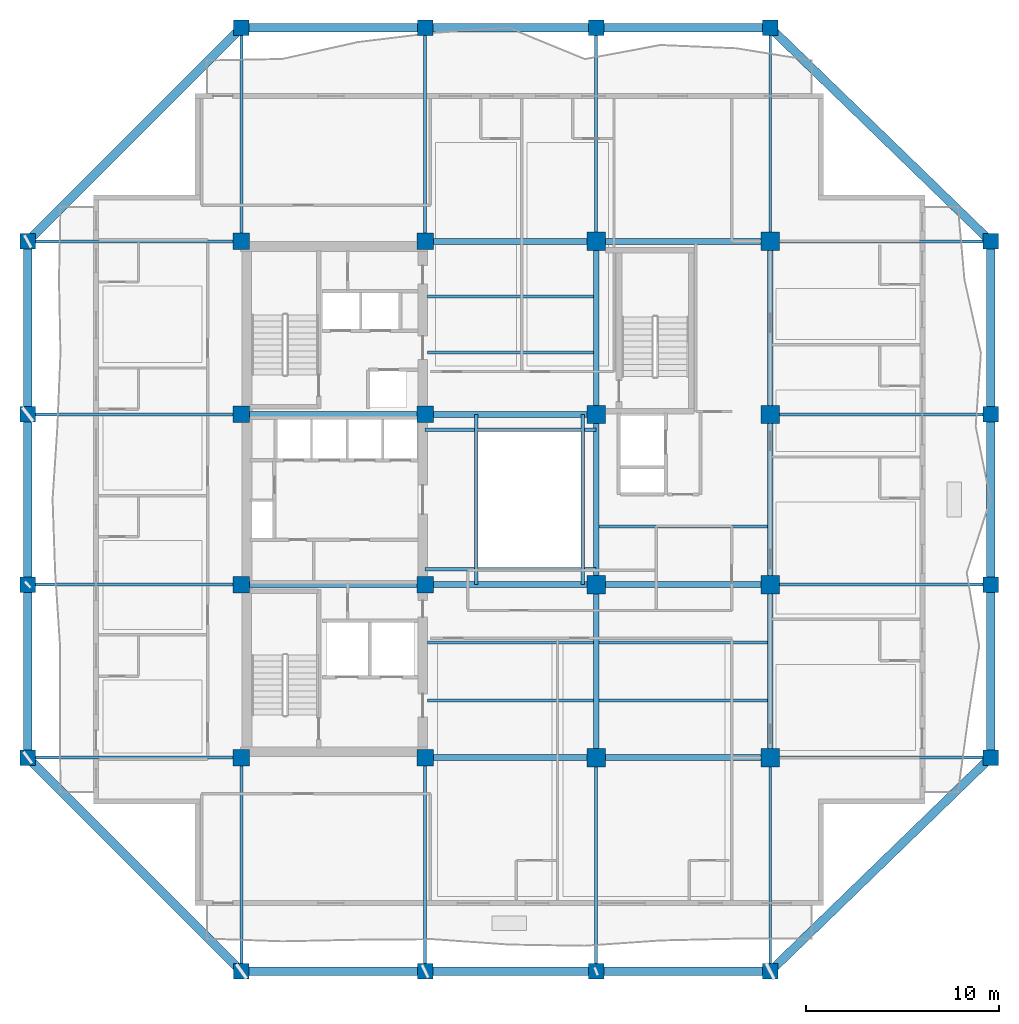
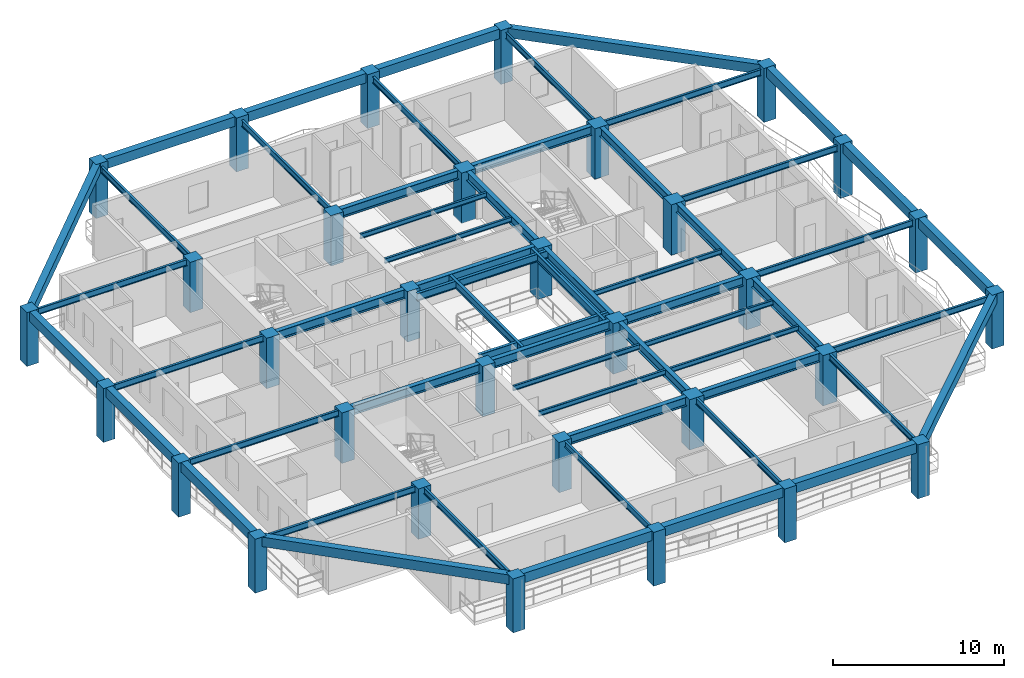
# One storey, part 1 of 13: 58 beams, 32 columns.
"""IFC4 building model written with IfcOpenShell, lengths in metres."""

from ifc_helpers import new_model, si_unit, direction, frame, origin, origin_2d, place, context, subcontext, project, spatial, rectangle, i_section, extrude, material, material_profile, profile_set, type_object, element, save


model = new_model("IFC4")

# Units and contexts
model_context = context("Model", 3, precision=1e-05, world=origin(), true_north=direction((0.0, 1.0)))
body_context = subcontext(model_context, "Body", "Model", "MODEL_VIEW")
ifc_project = project(units=[si_unit("LENGTHUNIT", "METRE"), si_unit("AREAUNIT", "SQUARE_METRE"), si_unit("VOLUMEUNIT", "CUBIC_METRE"), si_unit("PLANEANGLEUNIT", "RADIAN"), si_unit("MASSUNIT", "GRAM", prefix="KILO")], contexts=[model_context])

# Site, building, storey
site_placement = place(None, origin())
site = spatial("IfcSite", under=ifc_project, at=site_placement, CompositionType="ELEMENT")
building_placement = place(site_placement, origin())
building = spatial("IfcBuilding", under=site, at=building_placement, Name="Kundavana Baori Tower", CompositionType="ELEMENT")
storey_placement = place(building_placement, frame((0.0, 0.0, 169.449951171875)))
storey = spatial("IfcBuildingStorey", under=building, at=storey_placement, Name="L41", CompositionType="ELEMENT", Elevation=169.449951171875)

# Columns
ifc_material_1 = material(Name="Concrete C50/60", Category="concrete")
ifc_material_profile_1 = material_profile(ifc_material_1, rectangle(XDim=0.800048828125, YDim=0.800048828125, at=origin_2d()), Name="RC PF 800x800")
ifc_profile_set_1 = profile_set([ifc_material_profile_1], Name="Concrete C50/60")
column_type_1 = type_object("IfcColumnType", Name="COL-PF-800", PredefinedType="COLUMN", material=ifc_profile_set_1)
for number, where, z_axis, x_axis, name in (
    (1, (15.449951171875, 4.199951171875, 0.0), (0.0, 0.0, 1.0), (1.0, 0.0, 0.0), "L41 Stone-Clad Perimeter Frame Column PF-S1"),
    (2, (15.449951171875, 53.0, 0.0), (0.0, 0.0, 1.0), (1.0, 0.0, 0.0), "L41 Stone-Clad Perimeter Frame Column PF-N1"),
    (3, (24.949951171875, 4.199951171875, 0.0), (0.0, 0.0, 1.0), (1.0, 0.0, 0.0), "L41 Stone-Clad Perimeter Frame Column PF-S2"),
    (4, (24.949951171875, 53.0, 0.0), (0.0, 0.0, 1.0), (1.0, 0.0, 0.0), "L41 Stone-Clad Perimeter Frame Column PF-N2"),
    (5, (33.800048828125, 4.199951171875, 0.0), (0.0, 0.0, 1.0), (1.0, 0.0, 0.0), "L41 Stone-Clad Perimeter Frame Column PF-S3"),
    (6, (33.800048828125, 53.0, 0.0), (0.0, 0.0, 1.0), (1.0, 0.0, 0.0), "L41 Stone-Clad Perimeter Frame Column PF-N3"),
    (7, (42.800048828125, 4.199951171875, 0.0), (0.0, 0.0, 1.0), (1.0, 0.0, 0.0), "L41 Stone-Clad Perimeter Frame Column PF-S4"),
    (8, (42.800048828125, 53.0, 0.0), (0.0, 0.0, 1.0), (1.0, 0.0, 0.0), "L41 Stone-Clad Perimeter Frame Column PF-N4"),
    (9, (4.39990234375, 15.25, 0.0), (0.0, 0.0, 1.0), (1.0, 0.0, 0.0), "L41 Stone-Clad Perimeter Frame Column PF-W1"),
    (10, (54.199951171875, 15.25, 0.0), (0.0, 0.0, 1.0), (1.0, 0.0, 0.0), "L41 Stone-Clad Perimeter Frame Column PF-E1"),
    (11, (4.39990234375, 24.199951171875, 0.0), (0.0, 0.0, 1.0), (1.0, 0.0, 0.0), "L41 Stone-Clad Perimeter Frame Column PF-W2"),
    (12, (54.199951171875, 24.199951171875, 0.0), (0.0, 0.0, 1.0), (1.0, 0.0, 0.0), "L41 Stone-Clad Perimeter Frame Column PF-E2"),
    (13, (4.39990234375, 33.0, 0.0), (0.0, 0.0, 1.0), (1.0, 0.0, 0.0), "L41 Stone-Clad Perimeter Frame Column PF-W3"),
    (14, (54.199951171875, 33.0, 0.0), (0.0, 0.0, 1.0), (1.0, 0.0, 0.0), "L41 Stone-Clad Perimeter Frame Column PF-E3"),
    (15, (4.39990234375, 41.949951171875, 0.0), (0.0, 0.0, 1.0), (1.0, 0.0, 0.0), "L41 Stone-Clad Perimeter Frame Column PF-W4"),
    (16, (54.199951171875, 41.949951171875, 0.0), (0.0, 0.0, 1.0), (1.0, 0.0, 0.0), "L41 Stone-Clad Perimeter Frame Column PF-E4"),
):
    element("IfcColumn", number, at=place(storey_placement, frame(where, z_axis=z_axis, x_axis=x_axis)), inside=storey, type_object=column_type_1, Name=name, PredefinedType="COLUMN", context=body_context, shape_type="SweptSolid", body=[
        extrude(rectangle(XDim=0.800048828125, YDim=0.800048828125, at=origin_2d()), origin(), (0.0, 0.0, 1.0), 3.85009765625),
    ])
ifc_material_2 = material(Name="Concrete C50/60", Category="concrete")
ifc_material_profile_2 = material_profile(ifc_material_2, rectangle(XDim=0.85009765625, YDim=0.85009765625, at=origin_2d()), Name="RC 850x850")
ifc_profile_set_2 = profile_set([ifc_material_profile_2], Name="Concrete C50/60")
column_type_2 = type_object("IfcColumnType", Name="COL-RC-850", PredefinedType="COLUMN", material=ifc_profile_set_2)
for number, where, z_axis, x_axis, name in (
    (17, (15.449951171875, 15.25, 0.0), (0.0, 0.0, 1.0), (1.0, 0.0, 0.0), "L41 Interior Column IC-3C"),
    (18, (15.449951171875, 24.199951171875, 0.0), (0.0, 0.0, 1.0), (1.0, 0.0, 0.0), "L41 Interior Column IC-3D"),
    (19, (15.449951171875, 33.0, 0.0), (0.0, 0.0, 1.0), (1.0, 0.0, 0.0), "L41 Interior Column IC-3E"),
    (20, (15.449951171875, 41.949951171875, 0.0), (0.0, 0.0, 1.0), (1.0, 0.0, 0.0), "L41 Interior Column IC-3F"),
    (21, (24.949951171875, 15.25, 0.0), (0.0, 0.0, 1.0), (1.0, 0.0, 0.0), "L41 Interior Column IC-4C"),
    (22, (24.949951171875, 24.199951171875, 0.0), (0.0, 0.0, 1.0), (1.0, 0.0, 0.0), "L41 Interior Column IC-4D"),
    (23, (24.949951171875, 33.0, 0.0), (0.0, 0.0, 1.0), (1.0, 0.0, 0.0), "L41 Interior Column IC-4E"),
    (24, (24.949951171875, 41.949951171875, 0.0), (0.0, 0.0, 1.0), (1.0, 0.0, 0.0), "L41 Interior Column IC-4F"),
):
    element("IfcColumn", number, at=place(storey_placement, frame(where, z_axis=z_axis, x_axis=x_axis)), inside=storey, type_object=column_type_2, Name=name, PredefinedType="COLUMN", context=body_context, shape_type="SweptSolid", body=[
        extrude(rectangle(XDim=0.85009765625, YDim=0.85009765625, at=origin_2d()), origin(), (0.0, 0.0, 1.0), 3.60009765625),
    ])
ifc_material_3 = material(Name="Concrete C50/60", Category="concrete")
ifc_material_profile_3 = material_profile(ifc_material_3, rectangle(XDim=0.949951171875, YDim=0.949951171875, at=origin_2d()), Name="RC 950x950")
ifc_profile_set_3 = profile_set([ifc_material_profile_3], Name="Concrete C50/60")
column_type_3 = type_object("IfcColumnType", Name="COL-RC-950", PredefinedType="COLUMN", material=ifc_profile_set_3)
for number, where, z_axis, x_axis, name in (
    (25, (33.800048828125, 15.25, 0.0), (0.0, 0.0, 1.0), (1.0, 0.0, 0.0), "L41 Interior Column IC-5C"),
    (26, (33.800048828125, 24.199951171875, 0.0), (0.0, 0.0, 1.0), (1.0, 0.0, 0.0), "L41 Interior Column IC-5D"),
    (27, (33.800048828125, 33.0, 0.0), (0.0, 0.0, 1.0), (1.0, 0.0, 0.0), "L41 Interior Column IC-5E"),
    (28, (33.800048828125, 41.949951171875, 0.0), (0.0, 0.0, 1.0), (1.0, 0.0, 0.0), "L41 Interior Column IC-5F"),
    (29, (42.800048828125, 15.25, 0.0), (0.0, 0.0, 1.0), (1.0, 0.0, 0.0), "L41 Interior Column IC-6C"),
    (30, (42.800048828125, 24.199951171875, 0.0), (0.0, 0.0, 1.0), (1.0, 0.0, 0.0), "L41 Interior Column IC-6D"),
    (31, (42.800048828125, 33.0, 0.0), (0.0, 0.0, 1.0), (1.0, 0.0, 0.0), "L41 Interior Column IC-6E"),
    (32, (42.800048828125, 41.949951171875, 0.0), (0.0, 0.0, 1.0), (1.0, 0.0, 0.0), "L41 Interior Column IC-6F"),
):
    element("IfcColumn", number, at=place(storey_placement, frame(where, z_axis=z_axis, x_axis=x_axis)), inside=storey, type_object=column_type_3, Name=name, PredefinedType="COLUMN", context=body_context, shape_type="SweptSolid", body=[
        extrude(rectangle(XDim=0.949951171875, YDim=0.949951171875, at=origin_2d()), origin(), (0.0, 0.0, 1.0), 3.60009765625),
    ])

# Beams
ifc_material_4 = material(Name="Structural Steel S355JR", Category="steel")
ifc_material_profile_4 = material_profile(ifc_material_4, i_section(OverallWidth=0.139892578125, OverallDepth=0.35009765625, WebThickness=0.008056640625, FlangeThickness=0.01416015625, FilletRadius=0.013916015625, at=origin_2d()), Name="ISMB 350")
ifc_profile_set_4 = profile_set([ifc_material_profile_4], Name="Structural Steel S355JR")
beam_type_1 = type_object("IfcBeamType", Name="BM-JST-350", PredefinedType="JOIST", material=ifc_profile_set_4)
for number, where, z_axis, x_axis, name in (
    (33, (25.080078125, 18.199951171875, 3.425048828125), (1.0, 0.0, 0.0), (0.0, 1.0, 0.0), "L41 Central Bay Composite Floor Joist C1"),
    (34, (25.080078125, 21.199951171875, 3.425048828125), (1.0, 0.0, 0.0), (0.0, 1.0, 0.0), "L41 Central Bay Composite Floor Joist C2"),
    (35, (25.080078125, 36.199951171875, 3.425048828125), (1.0, 0.0, 0.0), (0.0, 1.0, 0.0), "L41 Central Bay Composite Floor Joist C3"),
    (36, (25.080078125, 39.10009765625, 3.425048828125), (1.0, 0.0, 0.0), (0.0, 1.0, 0.0), "L41 Central Bay Composite Floor Joist C4"),
):
    element("IfcBeam", number, at=place(storey_placement, frame(where, z_axis=z_axis, x_axis=x_axis)), inside=storey, type_object=beam_type_1, Name=name, PredefinedType="JOIST", context=body_context, shape_type="SweptSolid", body=[
        extrude(i_section(OverallWidth=0.139892578125, OverallDepth=0.35009765625, WebThickness=0.008056640625, FlangeThickness=0.01416015625, FilletRadius=0.013916015625, at=origin_2d()), origin(), (0.0, 0.0, 1.0), 8.56982421875),
    ])
for number, where, z_axis, x_axis, name in (
    (37, (33.949951171875, 18.199951171875, 3.425048828125), (1.0, 0.0, 0.0), (0.0, 1.0, 0.0), "L41 East Bay Composite Floor Joist E1"),
    (38, (33.949951171875, 21.199951171875, 3.425048828125), (1.0, 0.0, 0.0), (0.0, 1.0, 0.0), "L41 East Bay Composite Floor Joist E2"),
    (39, (33.949951171875, 27.199951171875, 3.425048828125), (1.0, 0.0, 0.0), (0.0, 1.0, 0.0), "L41 East Bay Composite Floor Joist E3"),
):
    element("IfcBeam", number, at=place(storey_placement, frame(where, z_axis=z_axis, x_axis=x_axis)), inside=storey, type_object=beam_type_1, Name=name, PredefinedType="JOIST", context=body_context, shape_type="SweptSolid", body=[
        extrude(i_section(OverallWidth=0.139892578125, OverallDepth=0.35009765625, WebThickness=0.008056640625, FlangeThickness=0.01416015625, FilletRadius=0.013916015625, at=origin_2d()), origin(), (0.0, 0.0, 1.0), 8.699951171875),
    ])
ifc_material_5 = material(Name="Concrete C50/60", Category="concrete")
ifc_material_profile_5 = material_profile(ifc_material_5, rectangle(XDim=0.449951171875, YDim=0.679931640625, at=origin_2d()), Name="RC BM 450x680")
ifc_profile_set_5 = profile_set([ifc_material_profile_5], Name="Concrete C50/60")
beam_type_2 = type_object("IfcBeamType", Name="BM-PF-680", PredefinedType="SPANDREL", material=ifc_profile_set_5)
beam_1_placement = place(storey_placement, frame((15.449951171875, 4.199951171875, 3.510009765625), z_axis=(1.0, 0.0, 0.0), x_axis=(0.0, 1.0, 0.0)))
element("IfcBeam", 40, at=beam_1_placement, inside=storey, type_object=beam_type_2, Name="L41 Perimeter Frame Ring Beam S1", PredefinedType="SPANDREL", context=body_context, shape_type="SweptSolid", body=[
    extrude(rectangle(XDim=0.449951171875, YDim=0.679931640625, at=origin_2d()), origin(), (0.0, 0.0, 1.0), 9.5),
])
beam_2_placement = place(storey_placement, frame((24.949951171875, 4.199951171875, 3.510009765625), z_axis=(1.0, 0.0, 0.0), x_axis=(0.0, 1.0, 0.0)))
element("IfcBeam", 41, at=beam_2_placement, inside=storey, type_object=beam_type_2, Name="L41 Perimeter Frame Ring Beam S2", PredefinedType="SPANDREL", context=body_context, shape_type="SweptSolid", body=[
    extrude(rectangle(XDim=0.449951171875, YDim=0.679931640625, at=origin_2d()), origin(), (0.0, 0.0, 1.0), 8.85009765625),
])
beam_3_placement = place(storey_placement, frame((33.800048828125, 4.199951171875, 3.510009765625), z_axis=(1.0, 0.0, 0.0), x_axis=(0.0, 1.0, 0.0)))
element("IfcBeam", 42, at=beam_3_placement, inside=storey, type_object=beam_type_2, Name="L41 Perimeter Frame Ring Beam S3", PredefinedType="SPANDREL", context=body_context, shape_type="SweptSolid", body=[
    extrude(rectangle(XDim=0.449951171875, YDim=0.679931640625, at=origin_2d()), origin(), (0.0, 0.0, 1.0), 9.0),
])
beam_4_placement = place(storey_placement, frame((15.449951171875, 53.0, 3.510009765625), z_axis=(1.0, 0.0, 0.0), x_axis=(0.0, 1.0, 0.0)))
element("IfcBeam", 43, at=beam_4_placement, inside=storey, type_object=beam_type_2, Name="L41 Perimeter Frame Ring Beam N1", PredefinedType="SPANDREL", context=body_context, shape_type="SweptSolid", body=[
    extrude(rectangle(XDim=0.449951171875, YDim=0.679931640625, at=origin_2d()), origin(), (0.0, 0.0, 1.0), 9.5),
])
beam_5_placement = place(storey_placement, frame((24.949951171875, 53.0, 3.510009765625), z_axis=(1.0, 0.0, 0.0), x_axis=(0.0, 1.0, 0.0)))
element("IfcBeam", 44, at=beam_5_placement, inside=storey, type_object=beam_type_2, Name="L41 Perimeter Frame Ring Beam N2", PredefinedType="SPANDREL", context=body_context, shape_type="SweptSolid", body=[
    extrude(rectangle(XDim=0.449951171875, YDim=0.679931640625, at=origin_2d()), origin(), (0.0, 0.0, 1.0), 8.85009765625),
])
beam_6_placement = place(storey_placement, frame((33.800048828125, 53.0, 3.510009765625), z_axis=(1.0, 0.0, 0.0), x_axis=(0.0, 1.0, 0.0)))
element("IfcBeam", 45, at=beam_6_placement, inside=storey, type_object=beam_type_2, Name="L41 Perimeter Frame Ring Beam N3", PredefinedType="SPANDREL", context=body_context, shape_type="SweptSolid", body=[
    extrude(rectangle(XDim=0.449951171875, YDim=0.679931640625, at=origin_2d()), origin(), (0.0, 0.0, 1.0), 9.0),
])
beam_7_placement = place(storey_placement, frame((4.39990234375, 15.25, 3.510009765625), z_axis=(0.0, 1.0, 0.0), x_axis=(-1.0, 0.0, 0.0)))
element("IfcBeam", 46, at=beam_7_placement, inside=storey, type_object=beam_type_2, Name="L41 Perimeter Frame Ring Beam W1", PredefinedType="SPANDREL", context=body_context, shape_type="SweptSolid", body=[
    extrude(rectangle(XDim=0.449951171875, YDim=0.679931640625, at=origin_2d()), origin(), (0.0, 0.0, 1.0), 8.949951171875),
])
beam_8_placement = place(storey_placement, frame((4.39990234375, 24.199951171875, 3.510009765625), z_axis=(0.0, 1.0, 0.0), x_axis=(-1.0, 0.0, 0.0)))
element("IfcBeam", 47, at=beam_8_placement, inside=storey, type_object=beam_type_2, Name="L41 Perimeter Frame Ring Beam W2", PredefinedType="SPANDREL", context=body_context, shape_type="SweptSolid", body=[
    extrude(rectangle(XDim=0.449951171875, YDim=0.679931640625, at=origin_2d()), origin(), (0.0, 0.0, 1.0), 8.800048828125),
])
for number, where, z_axis, x_axis, name in (
    (48, (4.39990234375, 33.0, 3.510009765625), (0.0, 1.0, 0.0), (-1.0, 0.0, 0.0), "L41 Perimeter Frame Ring Beam W3"),
    (49, (54.199951171875, 15.25, 3.510009765625), (0.0, 1.0, 0.0), (-1.0, 0.0, 0.0), "L41 Perimeter Frame Ring Beam E1"),
):
    element("IfcBeam", number, at=place(storey_placement, frame(where, z_axis=z_axis, x_axis=x_axis)), inside=storey, type_object=beam_type_2, Name=name, PredefinedType="SPANDREL", context=body_context, shape_type="SweptSolid", body=[
        extrude(rectangle(XDim=0.449951171875, YDim=0.679931640625, at=origin_2d()), origin(), (0.0, 0.0, 1.0), 8.949951171875),
    ])
beam_9_placement = place(storey_placement, frame((54.199951171875, 24.199951171875, 3.510009765625), z_axis=(0.0, 1.0, 0.0), x_axis=(-1.0, 0.0, 0.0)))
element("IfcBeam", 50, at=beam_9_placement, inside=storey, type_object=beam_type_2, Name="L41 Perimeter Frame Ring Beam E2", PredefinedType="SPANDREL", context=body_context, shape_type="SweptSolid", body=[
    extrude(rectangle(XDim=0.449951171875, YDim=0.679931640625, at=origin_2d()), origin(), (0.0, 0.0, 1.0), 8.800048828125),
])
beam_10_placement = place(storey_placement, frame((54.199951171875, 33.0, 3.510009765625), z_axis=(0.0, 1.0, 0.0), x_axis=(-1.0, 0.0, 0.0)))
element("IfcBeam", 51, at=beam_10_placement, inside=storey, type_object=beam_type_2, Name="L41 Perimeter Frame Ring Beam E3", PredefinedType="SPANDREL", context=body_context, shape_type="SweptSolid", body=[
    extrude(rectangle(XDim=0.449951171875, YDim=0.679931640625, at=origin_2d()), origin(), (0.0, 0.0, 1.0), 8.949951171875),
])
beam_11_placement = place(storey_placement, frame((15.449951171875, 4.199951171875, 3.510009765625), z_axis=(-0.707106781187, 0.707106781187, 0.0), x_axis=(-0.707106781187, -0.707106781187, 0.0)))
element("IfcBeam", 52, at=beam_11_placement, inside=storey, type_object=beam_type_2, Name="L41 Notched Corner Perimeter Beam SW", PredefinedType="SPANDREL", context=body_context, shape_type="SweptSolid", body=[
    extrude(rectangle(XDim=0.449951171875, YDim=0.679931640625, at=origin_2d()), origin(), (0.0, 0.0, 1.0), 15.627197265625),
])
beam_12_placement = place(storey_placement, frame((42.800048828125, 4.199951171875, 3.510009765625), z_axis=(0.718038944492, 0.696002926857, 0.0), x_axis=(-0.696002926857, 0.718038944492, 0.0)))
element("IfcBeam", 53, at=beam_12_placement, inside=storey, type_object=beam_type_2, Name="L41 Notched Corner Perimeter Beam SE", PredefinedType="SPANDREL", context=body_context, shape_type="SweptSolid", body=[
    extrude(rectangle(XDim=0.449951171875, YDim=0.679931640625, at=origin_2d()), origin(), (0.0, 0.0, 1.0), 15.87646484375),
])
beam_13_placement = place(storey_placement, frame((15.449951171875, 53.0, 3.510009765625), z_axis=(-0.707106781187, -0.707106781187, 0.0), x_axis=(0.707106781187, -0.707106781187, 0.0)))
element("IfcBeam", 54, at=beam_13_placement, inside=storey, type_object=beam_type_2, Name="L41 Notched Corner Perimeter Beam NW", PredefinedType="SPANDREL", context=body_context, shape_type="SweptSolid", body=[
    extrude(rectangle(XDim=0.449951171875, YDim=0.679931640625, at=origin_2d()), origin(), (0.0, 0.0, 1.0), 15.627197265625),
])
beam_14_placement = place(storey_placement, frame((42.800048828125, 53.0, 3.510009765625), z_axis=(0.718038944492, -0.696002926857, 0.0), x_axis=(0.696002926857, 0.718038944492, 0.0)))
element("IfcBeam", 55, at=beam_14_placement, inside=storey, type_object=beam_type_2, Name="L41 Notched Corner Perimeter Beam NE", PredefinedType="SPANDREL", context=body_context, shape_type="SweptSolid", body=[
    extrude(rectangle(XDim=0.449951171875, YDim=0.679931640625, at=origin_2d()), origin(), (0.0, 0.0, 1.0), 15.87646484375),
])
ifc_material_6 = material(Name="Structural Steel S355JR", Category="steel")
ifc_material_profile_6 = material_profile(ifc_material_6, i_section(OverallWidth=0.18994140625, OverallDepth=0.550048828125, WebThickness=0.01123046875, FlangeThickness=0.019287109375, FilletRadius=0.01806640625, at=origin_2d()), Name="ISMB 550")
ifc_profile_set_6 = profile_set([ifc_material_profile_6], Name="Structural Steel S355JR")
beam_type_3 = type_object("IfcBeamType", Name="BM-ST-550", PredefinedType="BEAM", material=ifc_profile_set_6)
for number, where, z_axis, x_axis, name in (
    (56, (27.60009765625, 24.199951171875, 3.324951171875), (0.0, 1.0, 0.0), (-1.0, 0.0, 0.0), "L41 Atrium West Edge Beam"),
    (57, (33.10009765625, 24.199951171875, 3.324951171875), (0.0, 1.0, 0.0), (-1.0, 0.0, 0.0), "L41 Atrium East Edge Beam"),
):
    element("IfcBeam", number, at=place(storey_placement, frame(where, z_axis=z_axis, x_axis=x_axis)), inside=storey, type_object=beam_type_3, Name=name, PredefinedType="BEAM", context=body_context, shape_type="SweptSolid", body=[
        extrude(i_section(OverallWidth=0.18994140625, OverallDepth=0.550048828125, WebThickness=0.01123046875, FlangeThickness=0.019287109375, FilletRadius=0.01806640625, at=origin_2d()), origin(), (0.0, 0.0, 1.0), 8.800048828125),
    ])
for number, where, z_axis, x_axis, name in (
    (58, (24.949951171875, 25.0, 3.324951171875), (1.0, 0.0, 0.0), (0.0, 1.0, 0.0), "L41 Atrium South Edge Beam"),
    (59, (24.949951171875, 32.199951171875, 3.324951171875), (1.0, 0.0, 0.0), (0.0, 1.0, 0.0), "L41 Atrium North Edge Beam"),
):
    element("IfcBeam", number, at=place(storey_placement, frame(where, z_axis=z_axis, x_axis=x_axis)), inside=storey, type_object=beam_type_3, Name=name, PredefinedType="BEAM", context=body_context, shape_type="SweptSolid", body=[
        extrude(i_section(OverallWidth=0.18994140625, OverallDepth=0.550048828125, WebThickness=0.01123046875, FlangeThickness=0.019287109375, FilletRadius=0.01806640625, at=origin_2d()), origin(), (0.0, 0.0, 1.0), 8.85009765625),
    ])
ifc_material_7 = material(Name="Structural Steel S355JR", Category="steel")
ifc_material_profile_7 = material_profile(ifc_material_7, i_section(OverallWidth=0.300048828125, OverallDepth=0.64990234375, WebThickness=0.013427734375, FlangeThickness=0.02197265625, FilletRadius=0.02392578125, at=origin_2d()), Name="NPB 650x300x155")
ifc_profile_set_7 = profile_set([ifc_material_profile_7], Name="Structural Steel S355JR")
beam_type_4 = type_object("IfcBeamType", Name="BM-ST-650", PredefinedType="BEAM", material=ifc_profile_set_7)
beam_15_placement = place(storey_placement, frame((24.949951171875, 15.25, 3.275146484375), z_axis=(1.0, 0.0, 0.0), x_axis=(0.0, 1.0, 0.0)))
element("IfcBeam", 60, at=beam_15_placement, inside=storey, type_object=beam_type_4, Name="L41 Primary Grid Girder GX-1-2", PredefinedType="BEAM", context=body_context, shape_type="SweptSolid", body=[
    extrude(i_section(OverallWidth=0.300048828125, OverallDepth=0.64990234375, WebThickness=0.013427734375, FlangeThickness=0.02197265625, FilletRadius=0.02392578125, at=origin_2d()), origin(), (0.0, 0.0, 1.0), 8.85009765625),
])
beam_16_placement = place(storey_placement, frame((33.800048828125, 15.25, 3.275146484375), z_axis=(1.0, 0.0, 0.0), x_axis=(0.0, 1.0, 0.0)))
element("IfcBeam", 61, at=beam_16_placement, inside=storey, type_object=beam_type_4, Name="L41 Primary Grid Girder GX-1-3", PredefinedType="BEAM", context=body_context, shape_type="SweptSolid", body=[
    extrude(i_section(OverallWidth=0.300048828125, OverallDepth=0.64990234375, WebThickness=0.013427734375, FlangeThickness=0.02197265625, FilletRadius=0.02392578125, at=origin_2d()), origin(), (0.0, 0.0, 1.0), 9.0),
])
beam_17_placement = place(storey_placement, frame((15.449951171875, 24.199951171875, 3.275146484375), z_axis=(1.0, 0.0, 0.0), x_axis=(0.0, 1.0, 0.0)))
element("IfcBeam", 62, at=beam_17_placement, inside=storey, type_object=beam_type_4, Name="L41 Primary Grid Girder GX-2-1", PredefinedType="BEAM", context=body_context, shape_type="SweptSolid", body=[
    extrude(i_section(OverallWidth=0.300048828125, OverallDepth=0.64990234375, WebThickness=0.013427734375, FlangeThickness=0.02197265625, FilletRadius=0.02392578125, at=origin_2d()), origin(), (0.0, 0.0, 1.0), 9.5),
])
beam_18_placement = place(storey_placement, frame((24.949951171875, 24.199951171875, 3.275146484375), z_axis=(1.0, 0.0, 0.0), x_axis=(0.0, 1.0, 0.0)))
element("IfcBeam", 63, at=beam_18_placement, inside=storey, type_object=beam_type_4, Name="L41 Primary Grid Girder GX-2-2", PredefinedType="BEAM", context=body_context, shape_type="SweptSolid", body=[
    extrude(i_section(OverallWidth=0.300048828125, OverallDepth=0.64990234375, WebThickness=0.013427734375, FlangeThickness=0.02197265625, FilletRadius=0.02392578125, at=origin_2d()), origin(), (0.0, 0.0, 1.0), 8.85009765625),
])
beam_19_placement = place(storey_placement, frame((33.800048828125, 24.199951171875, 3.275146484375), z_axis=(1.0, 0.0, 0.0), x_axis=(0.0, 1.0, 0.0)))
element("IfcBeam", 64, at=beam_19_placement, inside=storey, type_object=beam_type_4, Name="L41 Primary Grid Girder GX-2-3", PredefinedType="BEAM", context=body_context, shape_type="SweptSolid", body=[
    extrude(i_section(OverallWidth=0.300048828125, OverallDepth=0.64990234375, WebThickness=0.013427734375, FlangeThickness=0.02197265625, FilletRadius=0.02392578125, at=origin_2d()), origin(), (0.0, 0.0, 1.0), 9.0),
])
beam_20_placement = place(storey_placement, frame((15.449951171875, 33.0, 3.275146484375), z_axis=(1.0, 0.0, 0.0), x_axis=(0.0, 1.0, 0.0)))
element("IfcBeam", 65, at=beam_20_placement, inside=storey, type_object=beam_type_4, Name="L41 Primary Grid Girder GX-3-1", PredefinedType="BEAM", context=body_context, shape_type="SweptSolid", body=[
    extrude(i_section(OverallWidth=0.300048828125, OverallDepth=0.64990234375, WebThickness=0.013427734375, FlangeThickness=0.02197265625, FilletRadius=0.02392578125, at=origin_2d()), origin(), (0.0, 0.0, 1.0), 9.5),
])
for number, where, z_axis, x_axis, name in (
    (66, (24.949951171875, 33.0, 3.275146484375), (1.0, 0.0, 0.0), (0.0, 1.0, 0.0), "L41 Primary Grid Girder GX-3-2"),
    (67, (24.949951171875, 41.949951171875, 3.275146484375), (1.0, 0.0, 0.0), (0.0, 1.0, 0.0), "L41 Primary Grid Girder GX-4-2"),
):
    element("IfcBeam", number, at=place(storey_placement, frame(where, z_axis=z_axis, x_axis=x_axis)), inside=storey, type_object=beam_type_4, Name=name, PredefinedType="BEAM", context=body_context, shape_type="SweptSolid", body=[
        extrude(i_section(OverallWidth=0.300048828125, OverallDepth=0.64990234375, WebThickness=0.013427734375, FlangeThickness=0.02197265625, FilletRadius=0.02392578125, at=origin_2d()), origin(), (0.0, 0.0, 1.0), 8.85009765625),
    ])
beam_21_placement = place(storey_placement, frame((33.800048828125, 41.949951171875, 3.275146484375), z_axis=(1.0, 0.0, 0.0), x_axis=(0.0, 1.0, 0.0)))
element("IfcBeam", 68, at=beam_21_placement, inside=storey, type_object=beam_type_4, Name="L41 Primary Grid Girder GX-4-3", PredefinedType="BEAM", context=body_context, shape_type="SweptSolid", body=[
    extrude(i_section(OverallWidth=0.300048828125, OverallDepth=0.64990234375, WebThickness=0.013427734375, FlangeThickness=0.02197265625, FilletRadius=0.02392578125, at=origin_2d()), origin(), (0.0, 0.0, 1.0), 9.0),
])
beam_22_placement = place(storey_placement, frame((33.800048828125, 15.25, 3.275146484375), z_axis=(0.0, 1.0, 0.0), x_axis=(-1.0, 0.0, 0.0)))
element("IfcBeam", 69, at=beam_22_placement, inside=storey, type_object=beam_type_4, Name="L41 Primary Grid Girder GY-3-1", PredefinedType="BEAM", context=body_context, shape_type="SweptSolid", body=[
    extrude(i_section(OverallWidth=0.300048828125, OverallDepth=0.64990234375, WebThickness=0.013427734375, FlangeThickness=0.02197265625, FilletRadius=0.02392578125, at=origin_2d()), origin(), (0.0, 0.0, 1.0), 8.949951171875),
])
beam_23_placement = place(storey_placement, frame((33.800048828125, 24.199951171875, 3.275146484375), z_axis=(0.0, 1.0, 0.0), x_axis=(-1.0, 0.0, 0.0)))
element("IfcBeam", 70, at=beam_23_placement, inside=storey, type_object=beam_type_4, Name="L41 Primary Grid Girder GY-3-2", PredefinedType="BEAM", context=body_context, shape_type="SweptSolid", body=[
    extrude(i_section(OverallWidth=0.300048828125, OverallDepth=0.64990234375, WebThickness=0.013427734375, FlangeThickness=0.02197265625, FilletRadius=0.02392578125, at=origin_2d()), origin(), (0.0, 0.0, 1.0), 8.800048828125),
])
for number, where, z_axis, x_axis, name in (
    (71, (33.800048828125, 33.0, 3.275146484375), (0.0, 1.0, 0.0), (-1.0, 0.0, 0.0), "L41 Primary Grid Girder GY-3-3"),
    (72, (42.800048828125, 15.25, 3.275146484375), (0.0, 1.0, 0.0), (-1.0, 0.0, 0.0), "L41 Primary Grid Girder GY-4-1"),
):
    element("IfcBeam", number, at=place(storey_placement, frame(where, z_axis=z_axis, x_axis=x_axis)), inside=storey, type_object=beam_type_4, Name=name, PredefinedType="BEAM", context=body_context, shape_type="SweptSolid", body=[
        extrude(i_section(OverallWidth=0.300048828125, OverallDepth=0.64990234375, WebThickness=0.013427734375, FlangeThickness=0.02197265625, FilletRadius=0.02392578125, at=origin_2d()), origin(), (0.0, 0.0, 1.0), 8.949951171875),
    ])
beam_24_placement = place(storey_placement, frame((42.800048828125, 24.199951171875, 3.275146484375), z_axis=(0.0, 1.0, 0.0), x_axis=(-1.0, 0.0, 0.0)))
element("IfcBeam", 73, at=beam_24_placement, inside=storey, type_object=beam_type_4, Name="L41 Primary Grid Girder GY-4-2", PredefinedType="BEAM", context=body_context, shape_type="SweptSolid", body=[
    extrude(i_section(OverallWidth=0.300048828125, OverallDepth=0.64990234375, WebThickness=0.013427734375, FlangeThickness=0.02197265625, FilletRadius=0.02392578125, at=origin_2d()), origin(), (0.0, 0.0, 1.0), 8.800048828125),
])
beam_25_placement = place(storey_placement, frame((42.800048828125, 33.0, 3.275146484375), z_axis=(0.0, 1.0, 0.0), x_axis=(-1.0, 0.0, 0.0)))
element("IfcBeam", 74, at=beam_25_placement, inside=storey, type_object=beam_type_4, Name="L41 Primary Grid Girder GY-4-3", PredefinedType="BEAM", context=body_context, shape_type="SweptSolid", body=[
    extrude(i_section(OverallWidth=0.300048828125, OverallDepth=0.64990234375, WebThickness=0.013427734375, FlangeThickness=0.02197265625, FilletRadius=0.02392578125, at=origin_2d()), origin(), (0.0, 0.0, 1.0), 8.949951171875),
])
ifc_material_8 = material(Name="Structural Steel S355JR", Category="steel")
ifc_material_profile_8 = material_profile(ifc_material_8, i_section(OverallWidth=0.14990234375, OverallDepth=0.449951171875, WebThickness=0.009521484375, FlangeThickness=0.017333984375, FilletRadius=0.014892578125, at=origin_2d()), Name="ISMB 450")
ifc_profile_set_8 = profile_set([ifc_material_profile_8], Name="Structural Steel S355JR")
beam_type_5 = type_object("IfcBeamType", Name="BM-TIE-450", PredefinedType="BEAM", material=ifc_profile_set_8)
for number, where, z_axis, x_axis, name in (
    (75, (15.449951171875, 15.25, 3.375), (0.0, -1.0, 0.0), (1.0, 0.0, 0.0), "L41 South Radial Loggia Tie Beam S1"),
    (76, (15.449951171875, 41.949951171875, 3.375), (0.0, 1.0, 0.0), (-1.0, 0.0, 0.0), "L41 North Radial Loggia Tie Beam N1"),
    (77, (24.949951171875, 15.25, 3.375), (0.0, -1.0, 0.0), (1.0, 0.0, 0.0), "L41 South Radial Loggia Tie Beam S2"),
    (78, (24.949951171875, 41.949951171875, 3.375), (0.0, 1.0, 0.0), (-1.0, 0.0, 0.0), "L41 North Radial Loggia Tie Beam N2"),
    (79, (33.800048828125, 15.25, 3.375), (0.0, -1.0, 0.0), (1.0, 0.0, 0.0), "L41 South Radial Loggia Tie Beam S3"),
    (80, (33.800048828125, 41.949951171875, 3.375), (0.0, 1.0, 0.0), (-1.0, 0.0, 0.0), "L41 North Radial Loggia Tie Beam N3"),
    (81, (42.800048828125, 15.25, 3.375), (0.0, -1.0, 0.0), (1.0, 0.0, 0.0), "L41 South Radial Loggia Tie Beam S4"),
    (82, (42.800048828125, 41.949951171875, 3.375), (0.0, 1.0, 0.0), (-1.0, 0.0, 0.0), "L41 North Radial Loggia Tie Beam N4"),
    (83, (15.449951171875, 15.25, 3.375), (-1.0, 0.0, 0.0), (0.0, -1.0, 0.0), "L41 West Radial Loggia Tie Beam W1"),
):
    element("IfcBeam", number, at=place(storey_placement, frame(where, z_axis=z_axis, x_axis=x_axis)), inside=storey, type_object=beam_type_5, Name=name, PredefinedType="BEAM", context=body_context, shape_type="SweptSolid", body=[
        extrude(i_section(OverallWidth=0.14990234375, OverallDepth=0.449951171875, WebThickness=0.009521484375, FlangeThickness=0.017333984375, FilletRadius=0.014892578125, at=origin_2d()), origin(), (0.0, 0.0, 1.0), 11.050048828125),
    ])
beam_26_placement = place(storey_placement, frame((42.800048828125, 15.25, 3.375), z_axis=(1.0, 0.0, 0.0), x_axis=(0.0, 1.0, 0.0)))
element("IfcBeam", 84, at=beam_26_placement, inside=storey, type_object=beam_type_5, Name="L41 East Radial Loggia Tie Beam E1", PredefinedType="BEAM", context=body_context, shape_type="SweptSolid", body=[
    extrude(i_section(OverallWidth=0.14990234375, OverallDepth=0.449951171875, WebThickness=0.009521484375, FlangeThickness=0.017333984375, FilletRadius=0.014892578125, at=origin_2d()), origin(), (0.0, 0.0, 1.0), 11.39990234375),
])
beam_27_placement = place(storey_placement, frame((15.449951171875, 24.199951171875, 3.375), z_axis=(-1.0, 0.0, 0.0), x_axis=(0.0, -1.0, 0.0)))
element("IfcBeam", 85, at=beam_27_placement, inside=storey, type_object=beam_type_5, Name="L41 West Radial Loggia Tie Beam W2", PredefinedType="BEAM", context=body_context, shape_type="SweptSolid", body=[
    extrude(i_section(OverallWidth=0.14990234375, OverallDepth=0.449951171875, WebThickness=0.009521484375, FlangeThickness=0.017333984375, FilletRadius=0.014892578125, at=origin_2d()), origin(), (0.0, 0.0, 1.0), 11.050048828125),
])
beam_28_placement = place(storey_placement, frame((42.800048828125, 24.199951171875, 3.375), z_axis=(1.0, 0.0, 0.0), x_axis=(0.0, 1.0, 0.0)))
element("IfcBeam", 86, at=beam_28_placement, inside=storey, type_object=beam_type_5, Name="L41 East Radial Loggia Tie Beam E2", PredefinedType="BEAM", context=body_context, shape_type="SweptSolid", body=[
    extrude(i_section(OverallWidth=0.14990234375, OverallDepth=0.449951171875, WebThickness=0.009521484375, FlangeThickness=0.017333984375, FilletRadius=0.014892578125, at=origin_2d()), origin(), (0.0, 0.0, 1.0), 11.39990234375),
])
beam_29_placement = place(storey_placement, frame((15.449951171875, 33.0, 3.375), z_axis=(-1.0, 0.0, 0.0), x_axis=(0.0, -1.0, 0.0)))
element("IfcBeam", 87, at=beam_29_placement, inside=storey, type_object=beam_type_5, Name="L41 West Radial Loggia Tie Beam W3", PredefinedType="BEAM", context=body_context, shape_type="SweptSolid", body=[
    extrude(i_section(OverallWidth=0.14990234375, OverallDepth=0.449951171875, WebThickness=0.009521484375, FlangeThickness=0.017333984375, FilletRadius=0.014892578125, at=origin_2d()), origin(), (0.0, 0.0, 1.0), 11.050048828125),
])
beam_30_placement = place(storey_placement, frame((42.800048828125, 33.0, 3.375), z_axis=(1.0, 0.0, 0.0), x_axis=(0.0, 1.0, 0.0)))
element("IfcBeam", 88, at=beam_30_placement, inside=storey, type_object=beam_type_5, Name="L41 East Radial Loggia Tie Beam E3", PredefinedType="BEAM", context=body_context, shape_type="SweptSolid", body=[
    extrude(i_section(OverallWidth=0.14990234375, OverallDepth=0.449951171875, WebThickness=0.009521484375, FlangeThickness=0.017333984375, FilletRadius=0.014892578125, at=origin_2d()), origin(), (0.0, 0.0, 1.0), 11.39990234375),
])
beam_31_placement = place(storey_placement, frame((15.449951171875, 41.949951171875, 3.375), z_axis=(-1.0, 0.0, 0.0), x_axis=(0.0, -1.0, 0.0)))
element("IfcBeam", 89, at=beam_31_placement, inside=storey, type_object=beam_type_5, Name="L41 West Radial Loggia Tie Beam W4", PredefinedType="BEAM", context=body_context, shape_type="SweptSolid", body=[
    extrude(i_section(OverallWidth=0.14990234375, OverallDepth=0.449951171875, WebThickness=0.009521484375, FlangeThickness=0.017333984375, FilletRadius=0.014892578125, at=origin_2d()), origin(), (0.0, 0.0, 1.0), 11.050048828125),
])
beam_32_placement = place(storey_placement, frame((42.800048828125, 41.949951171875, 3.375), z_axis=(1.0, 0.0, 0.0), x_axis=(0.0, 1.0, 0.0)))
element("IfcBeam", 90, at=beam_32_placement, inside=storey, type_object=beam_type_5, Name="L41 East Radial Loggia Tie Beam E4", PredefinedType="BEAM", context=body_context, shape_type="SweptSolid", body=[
    extrude(i_section(OverallWidth=0.14990234375, OverallDepth=0.449951171875, WebThickness=0.009521484375, FlangeThickness=0.017333984375, FilletRadius=0.014892578125, at=origin_2d()), origin(), (0.0, 0.0, 1.0), 11.39990234375),
])

save(model, "model.ifc")
